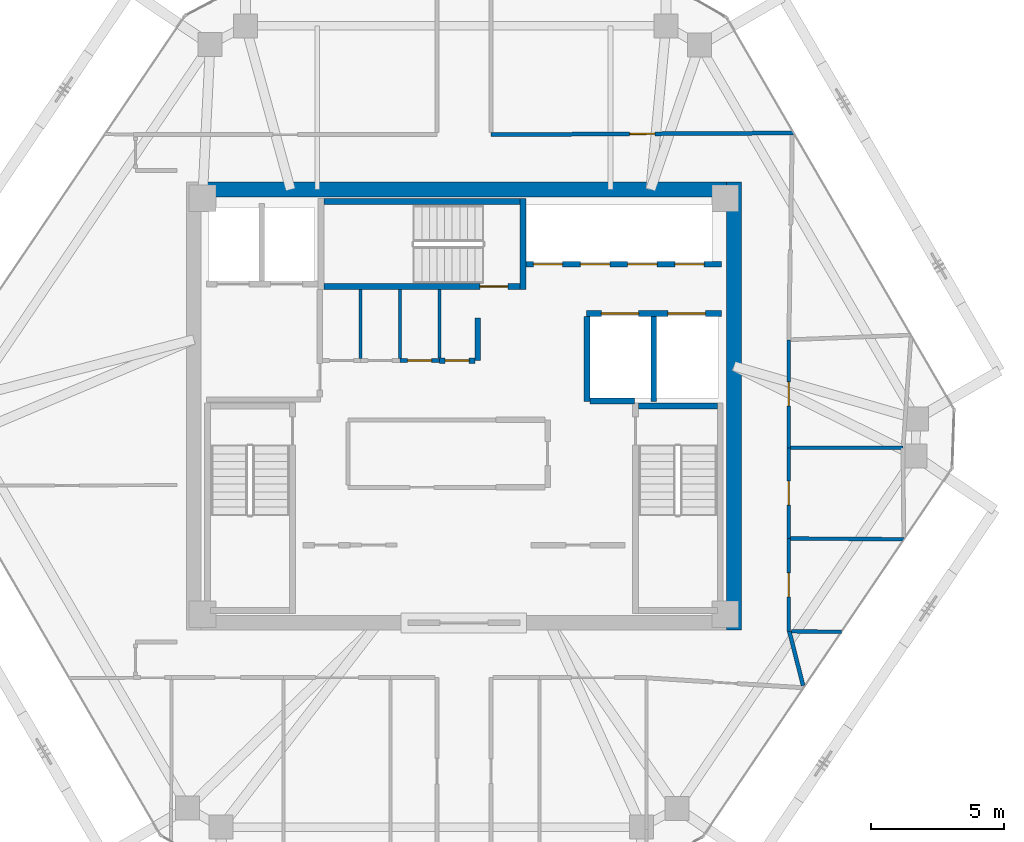
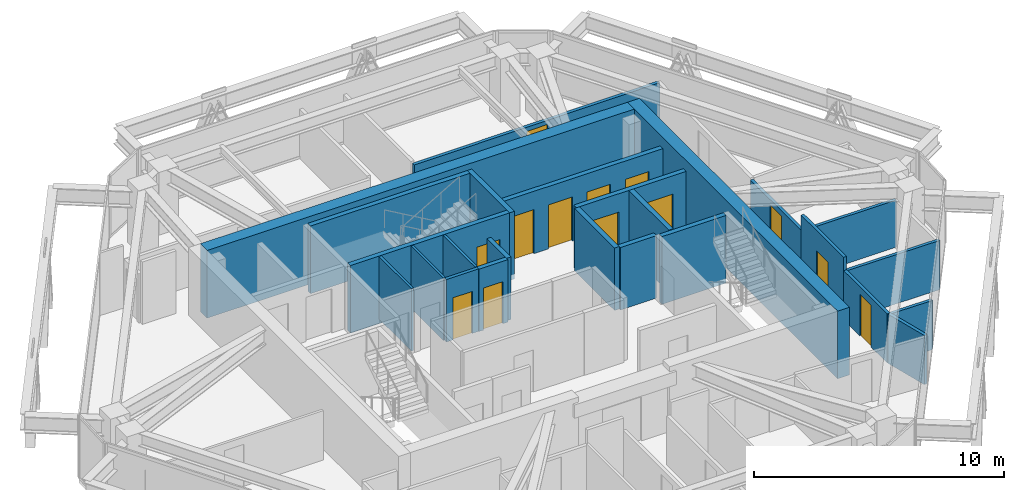
# One storey, part 11 of 13: 25 walls, 13 doors, 13 openings.
"""IFC4 building model written with IfcOpenShell, lengths in metres."""

from ifc_helpers import new_model, si_unit, direction, frame, frame_2d, origin, place, context, subcontext, project, spatial, rectangle, extrude, source, transform, mapped, material, layer, layer_set, type_object, type_shapes, element, fill, save


model = new_model("IFC4")

# Units and contexts
model_context = context("Model", 3, precision=1e-05, world=origin(), true_north=direction((0.0, 1.0)))
body_context = subcontext(model_context, "Body", "Model", "MODEL_VIEW")
ifc_project = project(units=[si_unit("LENGTHUNIT", "METRE"), si_unit("AREAUNIT", "SQUARE_METRE"), si_unit("VOLUMEUNIT", "CUBIC_METRE"), si_unit("PLANEANGLEUNIT", "RADIAN"), si_unit("MASSUNIT", "GRAM", prefix="KILO")], contexts=[model_context])

# Site, building, storey
site_placement = place(None, origin())
site = spatial("IfcSite", under=ifc_project, at=site_placement, CompositionType="ELEMENT")
building_placement = place(site_placement, origin())
building = spatial("IfcBuilding", under=site, at=building_placement, Name="Durnholm Broadcast Tower", CompositionType="ELEMENT")
storey_placement = place(building_placement, frame((0.0, 0.0, 248.0)))
storey = spatial("IfcBuildingStorey", under=building, at=storey_placement, Name="L69", CompositionType="ELEMENT", Elevation=248.0)

# Walls
ifc_material_1 = material(Name="Concrete C70/85", Category="concrete")
ifc_layer_1 = layer(ifc_material_1, 0.550048828125)
ifc_layer_set_1 = layer_set([ifc_layer_1], Name="Concrete C70/85")
wall_type_1 = type_object("IfcWallType", Name="WALL-CW-550", PredefinedType="SHEAR", material=ifc_layer_set_1)
wall_1_placement = place(storey_placement, frame((10.125, -8.39990234375, 0.0), z_axis=(0.0, 0.0, 1.0), x_axis=(0.0, 1.0, 0.0)))
element("IfcWall", 1, at=wall_1_placement, inside=storey, type_object=wall_type_1, Name="L69 central core shear wall CW-EAST", PredefinedType="SHEAR", context=body_context, shape_type="SweptSolid", body=[
    extrude(rectangle(XDim=16.7998046875, YDim=0.550048828125, at=frame_2d((8.39990234375, 0.0))), origin(), (0.0, 0.0, 1.0), 3.300048828125),
])
wall_2_placement = place(storey_placement, frame((-9.85009765625, 8.125, 0.0), z_axis=(0.0, 0.0, 1.0), x_axis=(1.0, 0.0, 0.0)))
element("IfcWall", 2, at=wall_2_placement, inside=storey, type_object=wall_type_1, Name="L69 central core shear wall CW-N", PredefinedType="SHEAR", context=body_context, shape_type="SweptSolid", body=[
    extrude(rectangle(XDim=19.7001953125, YDim=0.550048828125, at=frame_2d((9.85009765625, 0.0))), origin(), (0.0, 0.0, 1.0), 3.300048828125),
])
ifc_material_2 = material(Name="Fire-Rated Gypsum Shaftwall", Category="concrete")
ifc_layer_2 = layer(ifc_material_2, 0.199951171875)
ifc_layer_set_2 = layer_set([ifc_layer_2], Name="Fire-Rated Gypsum Shaftwall")
wall_type_2 = type_object("IfcWallType", Name="WALL-LOB-200", PredefinedType="SOLIDWALL", material=ifc_layer_set_2)
wall_3_placement = place(storey_placement, frame((0.52001953125, 3.300048828125, 0.0), z_axis=(0.0, 0.0, 1.0), x_axis=(0.0, -1.0, 0.0)))
element("IfcWall", 3, at=wall_3_placement, inside=storey, type_object=wall_type_2, Name="L69 Core Signal Sync Room corridor partition", PredefinedType="SOLIDWALL", context=body_context, shape_type="SweptSolid", body=[
    extrude(rectangle(XDim=1.590087890625, YDim=0.199951171875, at=frame_2d((0.794921875, 0.0))), origin(), (0.0, 0.0, 1.0), 3.044921875),
])

# Wall, opening, door
wall_4_placement = place(storey_placement, frame((0.416015625, 1.7099609375, 0.0), z_axis=(0.0, 0.0, 1.0), x_axis=(-1.0, 0.0, 0.0)))
wall_4 = element("IfcWall", 4, at=wall_4_placement, inside=storey, type_object=wall_type_2, Name="L69 Core Signal Sync Room corridor partition", PredefinedType="SOLIDWALL", context=body_context, shape_type="SweptSolid", body=[
    extrude(rectangle(XDim=1.3359375, YDim=0.199951171875, at=frame_2d((0.66796875, 0.0))), origin(), (0.0, 0.0, 1.0), 3.044921875),
])
opening_1_placement = place(wall_4_placement, frame((0.218017578125, 0.0, 0.0)))
opening_1 = element("IfcOpeningElement", 5, at=opening_1_placement, cuts=wall_4, Name="Opening DC-60R", PredefinedType="OPENING", context=body_context, shape_type="SweptSolid", body=[
    extrude(rectangle(XDim=0.89990234375, YDim=2.050048828125, at=frame_2d((0.449951171875, 1.02490234375))), frame((0.0, 0.10986328125, 0.0), z_axis=(0.0, -1.0, 0.0), x_axis=(1.0, 0.0, 0.0)), (0.0, 0.0, 1.0), 0.219970703125),
])
ifc_material_3 = material(Name="Fire-Rated Core Service Door", Category="steel")
ifc_layer_3 = layer(ifc_material_3, 0.050048828125)
ifc_layer_set_3 = layer_set([ifc_layer_3], Name="Fire-Rated Core Service Door")
door_type_1 = type_object("IfcDoorType", Name="DOOR-CORE-FD60-R", OperationType="NOTDEFINED", PredefinedType="DOOR", material=ifc_layer_set_3)
shared_shape_1 = source(origin(), body_context, "Body", "SweptSolid", [
    extrude(rectangle(XDim=0.89990234375, YDim=2.050048828125, at=frame_2d((0.449951171875, 1.02490234375))), frame((0.0, 0.02490234375, 0.0), z_axis=(0.0, -1.0, 0.0), x_axis=(1.0, 0.0, 0.0)), (0.0, 0.0, 1.0), 0.050048828125),
])
type_shapes(door_type_1, [shared_shape_1])
door_1_placement = place(opening_1_placement, origin())
door_1 = element("IfcDoor", 6, at=door_1_placement, inside=storey, type_object=door_type_1, Name="L69 Core Signal Sync Room entrance door", OperationType="SINGLE_SWING_RIGHT", OverallHeight=2.050048828125, OverallWidth=0.89990234375, PredefinedType="DOOR", context=body_context, shape_type="MappedRepresentation", body=[
    mapped(shared_shape_1, transform((0.0, 0.0, 0.0), x_axis=(1.0, 0.0, 0.0), y_axis=(0.0, 1.0, 0.0), z_axis=(0.0, 0.0, 1.0), scale=1.0)),
])
fill(opening_1, door_1)

# Walls
ifc_material_4 = material(Name="Operable Acoustic Panel Partition", Category="aluminium")
ifc_layer_4 = layer(ifc_material_4, 0.110107421875)
ifc_layer_set_4 = layer_set([ifc_layer_4], Name="Operable Acoustic Panel Partition")
wall_type_3 = type_object("IfcWallType", Name="WALL-MOV-110", PredefinedType="MOVABLE", material=ifc_layer_set_4)
for number, where, z_axis, x_axis, name in (
    (7, (-3.8798828125, 4.375, 0.0), (0.0, 0.0, 1.0), (0.0, -1.0, 0.0), "L69 room dividing partition 6.7"),
    (8, (-2.39990234375, 4.375, 0.0), (0.0, 0.0, 1.0), (0.0, -1.0, 0.0), "L69 room dividing partition 7.8"),
):
    element("IfcWall", number, at=place(storey_placement, frame(where, z_axis=z_axis, x_axis=x_axis)), inside=storey, type_object=wall_type_3, Name=name, PredefinedType="MOVABLE", context=body_context, shape_type="SweptSolid", body=[
        extrude(rectangle(XDim=2.5859375, YDim=0.110107421875, at=frame_2d((1.29296875, 0.0))), origin(), (0.0, 0.0, 1.0), 3.044921875),
    ])
wall_5_placement = place(storey_placement, frame((-0.919921875, 4.375, 0.0), z_axis=(0.0, 0.0, 1.0), x_axis=(0.0, -1.0, 0.0)))
element("IfcWall", 9, at=wall_5_placement, inside=storey, type_object=wall_type_3, Name="L69 room dividing partition 8.9", PredefinedType="MOVABLE", context=body_context, shape_type="SweptSolid", body=[
    extrude(rectangle(XDim=2.56103515625, YDim=0.110107421875, at=frame_2d((1.280517578125, 0.0))), origin(), (0.0, 0.0, 1.0), 3.044921875),
])

# Wall, opening, door
ifc_material_5 = material(Name="Acoustic Gypsum Stud Partition", Category="concrete")
ifc_layer_5 = layer(ifc_material_5, 0.14990234375)
ifc_layer_set_5 = layer_set([ifc_layer_5], Name="Acoustic Gypsum Stud Partition")
wall_type_4 = type_object("IfcWallType", Name="WALL-PART-150", PredefinedType="PARTITIONING", material=ifc_layer_set_5)
wall_6_placement = place(storey_placement, frame((-0.919921875, 1.7099609375, 0.0), z_axis=(0.0, 0.0, 1.0), x_axis=(-1.0, 0.0, 0.0)))
wall_6 = element("IfcWall", 10, at=wall_6_placement, inside=storey, type_object=wall_type_4, Name="L69 Core Safety Gear Store corridor partition", PredefinedType="PARTITIONING", context=body_context, shape_type="SweptSolid", body=[
    extrude(rectangle(XDim=1.47998046875, YDim=0.14990234375, at=frame_2d((0.739990234375, 0.0))), origin(), (0.0, 0.0, 1.0), 3.044921875),
])
opening_2_placement = place(wall_6_placement, frame((0.2900390625, 0.0, 0.0)))
opening_2 = element("IfcOpeningElement", 11, at=opening_2_placement, cuts=wall_6, Name="Opening DC-60L", PredefinedType="OPENING", context=body_context, shape_type="SweptSolid", body=[
    extrude(rectangle(XDim=0.89990234375, YDim=2.050048828125, at=frame_2d((0.449951171875, 1.02490234375))), frame((0.0, 0.0849609375, 0.0), z_axis=(0.0, -1.0, 0.0), x_axis=(1.0, 0.0, 0.0)), (0.0, 0.0, 1.0), 0.169921875),
])
ifc_layer_6 = layer(ifc_material_3, 0.050048828125)
ifc_layer_set_6 = layer_set([ifc_layer_6], Name="Fire-Rated Core Service Door")
door_type_2 = type_object("IfcDoorType", Name="DOOR-CORE-FD60-L", OperationType="NOTDEFINED", PredefinedType="DOOR", material=ifc_layer_set_6)
shared_shape_2 = source(origin(), body_context, "Body", "SweptSolid", [
    extrude(rectangle(XDim=0.89990234375, YDim=2.050048828125, at=frame_2d((0.449951171875, 1.02490234375))), frame((0.0, 0.02490234375, 0.0), z_axis=(0.0, -1.0, 0.0), x_axis=(1.0, 0.0, 0.0)), (0.0, 0.0, 1.0), 0.050048828125),
])
type_shapes(door_type_2, [shared_shape_2])
door_2_placement = place(opening_2_placement, origin())
door_2 = element("IfcDoor", 12, at=door_2_placement, inside=storey, type_object=door_type_2, Name="L69 Core Safety Gear Store entrance door", OperationType="SINGLE_SWING_LEFT", OverallHeight=2.050048828125, OverallWidth=0.89990234375, PredefinedType="DOOR", context=body_context, shape_type="MappedRepresentation", body=[
    mapped(shared_shape_2, transform((0.0, 0.0, 0.0), x_axis=(1.0, 0.0, 0.0), y_axis=(0.0, 1.0, 0.0), z_axis=(0.0, 0.0, 1.0), scale=1.0)),
])
fill(opening_2, door_2)

wall_7_placement = place(storey_placement, frame((12.368408203125, 10.242919921875, 0.0), z_axis=(0.0, 0.0, 1.0), x_axis=(-0.999984623931, -0.005545439622, 0.0)))
wall_7 = element("IfcWall", 13, at=wall_7_placement, inside=storey, type_object=wall_type_4, Name="L69 Open Plan Broadcast Workspace 3 corridor partition", PredefinedType="PARTITIONING", context=body_context, shape_type="SweptSolid", body=[
    extrude(rectangle(XDim=11.358642578125, YDim=0.14990234375, at=frame_2d((5.67919921875, 0.0))), origin(), (0.0, 0.0, 1.0), 2.30126953125),
])
opening_3_placement = place(wall_7_placement, frame((5.2041015625, 0.0, 0.0)))
opening_3 = element("IfcOpeningElement", 14, at=opening_3_placement, cuts=wall_7, Name="Opening DR-95L", PredefinedType="OPENING", context=body_context, shape_type="SweptSolid", body=[
    extrude(rectangle(XDim=0.949951171875, YDim=2.10009765625, at=frame_2d((0.47509765625, 1.050048828125))), frame((0.0, 0.0849609375, 0.0), z_axis=(0.0, -1.0, 0.0), x_axis=(1.0, 0.0, 0.0)), (0.0, 0.0, 1.0), 0.169921875),
])
ifc_material_6 = material(Name="Acoustic Oak Veneer Timber Door", Category="wood")
ifc_layer_7 = layer(ifc_material_6, 0.050048828125)
ifc_layer_set_7 = layer_set([ifc_layer_7], Name="Acoustic Oak Veneer Timber Door")
door_type_3 = type_object("IfcDoorType", Name="DOOR-RM-950L", OperationType="NOTDEFINED", PredefinedType="DOOR", material=ifc_layer_set_7)
shared_shape_3 = source(origin(), body_context, "Body", "SweptSolid", [
    extrude(rectangle(XDim=0.949951171875, YDim=2.10009765625, at=frame_2d((0.47509765625, 1.050048828125))), frame((0.0, 0.02490234375, 0.0), z_axis=(0.0, -1.0, 0.0), x_axis=(1.0, 0.0, 0.0)), (0.0, 0.0, 1.0), 0.050048828125),
])
type_shapes(door_type_3, [shared_shape_3])
door_3_placement = place(opening_3_placement, origin())
door_3 = element("IfcDoor", 15, at=door_3_placement, inside=storey, type_object=door_type_3, Name="L69 Open Plan Broadcast Workspace 3 entrance door", OperationType="SINGLE_SWING_LEFT", OverallHeight=2.10009765625, OverallWidth=0.949951171875, PredefinedType="DOOR", context=body_context, shape_type="MappedRepresentation", body=[
    mapped(shared_shape_3, transform((0.0, 0.0, 0.0), x_axis=(1.0, 0.0, 0.0), y_axis=(0.0, 1.0, 0.0), z_axis=(0.0, 0.0, 1.0), scale=1.0)),
])
fill(opening_3, door_3)

# Wall
wall_8_placement = place(storey_placement, frame((12.718505859375, -10.477294921875, 0.0), z_axis=(0.0, 0.0, 1.0), x_axis=(-0.246550381988, 0.96912997536, 0.0)))
element("IfcWall", 16, at=wall_8_placement, inside=storey, type_object=wall_type_4, Name="L69 Editorial Briefing Meeting Room corridor partition", PredefinedType="PARTITIONING", context=body_context, shape_type="SweptSolid", body=[
    extrude(rectangle(XDim=2.102294921875, YDim=0.14990234375, at=frame_2d((1.05126953125, 0.0))), origin(), (0.0, 0.0, 1.0), 2.398681640625),
])

# Wall, openings, doors
ifc_material_7 = material(Name="Concrete Blockwork C30/37", Category="masonry")
ifc_layer_8 = layer(ifc_material_7, 0.219970703125)
ifc_layer_set_8 = layer_set([ifc_layer_8], Name="Concrete Blockwork C30/37")
wall_type_5 = type_object("IfcWallType", Name="WALL-SHAFT-220", PredefinedType="SOLIDWALL", material=ifc_layer_set_8)
wall_9_placement = place(storey_placement, frame((4.60009765625, 3.47998046875, 0.0), z_axis=(0.0, 0.0, 1.0), x_axis=(1.0, 0.0, 0.0)))
wall_9 = element("IfcWall", 17, at=wall_9_placement, inside=storey, type_object=wall_type_5, Name="L69 freight service lifts north front wall", PredefinedType="SOLIDWALL", context=body_context, shape_type="SweptSolid", body=[
    extrude(rectangle(XDim=5.0498046875, YDim=0.219970703125, at=frame_2d((2.52490234375, 0.0))), origin(), (0.0, 0.0, 1.0), 3.044921875),
])
opening_4_placement = place(wall_9_placement, frame((0.550048828125, 0.0, 0.0)))
opening_4 = element("IfcOpeningElement", 18, at=opening_4_placement, cuts=wall_9, Name="Opening LD-SVL-2", PredefinedType="OPENING", context=body_context, shape_type="SweptSolid", body=[
    extrude(rectangle(XDim=1.39990234375, YDim=2.14990234375, at=frame_2d((0.699951171875, 1.074951171875))), frame((0.0, 0.1201171875, 0.0), z_axis=(0.0, -1.0, 0.0), x_axis=(1.0, 0.0, 0.0)), (0.0, 0.0, 1.0), 0.239990234375),
])
opening_5_placement = place(wall_9_placement, frame((3.050048828125, 0.0, 0.0)))
opening_5 = element("IfcOpeningElement", 19, at=opening_5_placement, cuts=wall_9, Name="Opening LD-SVL-1", PredefinedType="OPENING", context=body_context, shape_type="SweptSolid", body=[
    extrude(rectangle(XDim=1.39990234375, YDim=2.14990234375, at=frame_2d((0.699951171875, 1.074951171875))), frame((0.0, 0.1201171875, 0.0), z_axis=(0.0, -1.0, 0.0), x_axis=(1.0, 0.0, 0.0)), (0.0, 0.0, 1.0), 0.239990234375),
])
ifc_material_8 = material(Name="Freight Elevator Bi-Parting Sliding Landing Door", Category="steel")
ifc_layer_9 = layer(ifc_material_8, 0.050048828125)
ifc_layer_set_9 = layer_set([ifc_layer_9], Name="Freight Elevator Bi-Parting Sliding Landing Door")
door_type_4 = type_object("IfcDoorType", Name="DOOR-LIFT-SVL", OperationType="DOUBLE_DOOR_SLIDING", PredefinedType="DOOR", material=ifc_layer_set_9)
shared_shape_4 = source(origin(), body_context, "Body", "SweptSolid", [
    extrude(rectangle(XDim=1.39990234375, YDim=2.14990234375, at=frame_2d((0.699951171875, 1.074951171875))), frame((0.0, 0.02490234375, 0.0), z_axis=(0.0, -1.0, 0.0), x_axis=(1.0, 0.0, 0.0)), (0.0, 0.0, 1.0), 0.050048828125),
])
type_shapes(door_type_4, [shared_shape_4])
door_4_placement = place(opening_4_placement, origin())
door_4 = element("IfcDoor", 20, at=door_4_placement, inside=storey, type_object=door_type_4, Name="L69 freight service elevator SVL-2 sliding landing door", OperationType="DOUBLE_DOOR_SLIDING", OverallHeight=2.14990234375, OverallWidth=1.39990234375, PredefinedType="DOOR", context=body_context, shape_type="MappedRepresentation", body=[
    mapped(shared_shape_4, transform((0.0, 0.0, 0.0), x_axis=(1.0, 0.0, 0.0), y_axis=(0.0, 1.0, 0.0), z_axis=(0.0, 0.0, 1.0), scale=1.0)),
])
fill(opening_4, door_4)
door_5_placement = place(opening_5_placement, origin())
door_5 = element("IfcDoor", 21, at=door_5_placement, inside=storey, type_object=door_type_4, Name="L69 freight service elevator SVL-1 sliding landing door", OperationType="DOUBLE_DOOR_SLIDING", OverallHeight=2.14990234375, OverallWidth=1.39990234375, PredefinedType="DOOR", context=body_context, shape_type="MappedRepresentation", body=[
    mapped(shared_shape_4, transform((0.0, 0.0, 0.0), x_axis=(1.0, 0.0, 0.0), y_axis=(0.0, 1.0, 0.0), z_axis=(0.0, 0.0, 1.0), scale=1.0)),
])
fill(opening_5, door_5)

# Walls
for number, where, z_axis, x_axis, name in (
    (22, (4.6201171875, 0.179931640625, 0.0), (0.0, 0.0, 1.0), (0.0, 1.0, 0.0), "L69 freight service lift SVL-2 west wall"),
    (23, (7.1201171875, 0.179931640625, 0.0), (0.0, 0.0, 1.0), (0.0, 1.0, 0.0), "L69 freight service lifts divider wall"),
):
    element("IfcWall", number, at=place(storey_placement, frame(where, z_axis=z_axis, x_axis=x_axis)), inside=storey, type_object=wall_type_5, Name=name, PredefinedType="SOLIDWALL", context=body_context, shape_type="SweptSolid", body=[
        extrude(rectangle(XDim=3.18603515625, YDim=0.219970703125, at=frame_2d((1.593017578125, 0.0))), origin(), (0.0, 0.0, 1.0), 3.044921875),
    ])
wall_10_placement = place(storey_placement, frame((4.73388671875, 0.199951171875, 0.0), z_axis=(0.0, 0.0, 1.0), x_axis=(1.0, 0.0, 0.0)))
element("IfcWall", 24, at=wall_10_placement, inside=storey, type_object=wall_type_5, Name="L69 freight service lift SVL-2 south wall", PredefinedType="SOLIDWALL", context=body_context, shape_type="SweptSolid", body=[
    extrude(rectangle(XDim=1.666015625, YDim=0.219970703125, at=frame_2d((0.8330078125, 0.0))), origin(), (0.0, 0.0, 1.0), 3.044921875),
])

# Wall, openings, doors
wall_11_placement = place(storey_placement, frame((2.324951171875, 5.320068359375, 0.0), z_axis=(0.0, 0.0, 1.0), x_axis=(1.0, 0.0, 0.0)))
wall_11 = element("IfcWall", 25, at=wall_11_placement, inside=storey, type_object=wall_type_5, Name="L69 high-rise bank P3 south front wall", PredefinedType="SOLIDWALL", context=body_context, shape_type="SweptSolid", body=[
    extrude(rectangle(XDim=7.324951171875, YDim=0.219970703125, at=frame_2d((3.66259765625, 0.0))), origin(), (0.0, 0.0, 1.0), 3.044921875),
])
opening_6_placement = place(wall_11_placement, frame((0.27490234375, 0.0, 0.0)))
opening_6 = element("IfcOpeningElement", 26, at=opening_6_placement, cuts=wall_11, Name="Opening LD-LP3-1", PredefinedType="OPENING", context=body_context, shape_type="SweptSolid", body=[
    extrude(rectangle(XDim=1.10009765625, YDim=2.14990234375, at=frame_2d((0.550048828125, 1.074951171875))), frame((0.0, 0.1201171875, 0.0), z_axis=(0.0, -1.0, 0.0), x_axis=(1.0, 0.0, 0.0)), (0.0, 0.0, 1.0), 0.239990234375),
])
opening_7_placement = place(wall_11_placement, frame((2.044921875, 0.0, 0.0)))
opening_7 = element("IfcOpeningElement", 27, at=opening_7_placement, cuts=wall_11, Name="Opening LD-LP3-2", PredefinedType="OPENING", context=body_context, shape_type="SweptSolid", body=[
    extrude(rectangle(XDim=1.10009765625, YDim=2.14990234375, at=frame_2d((0.550048828125, 1.074951171875))), frame((0.0, 0.1201171875, 0.0), z_axis=(0.0, -1.0, 0.0), x_axis=(1.0, 0.0, 0.0)), (0.0, 0.0, 1.0), 0.239990234375),
])
opening_8_placement = place(wall_11_placement, frame((3.81494140625, 0.0, 0.0)))
opening_8 = element("IfcOpeningElement", 28, at=opening_8_placement, cuts=wall_11, Name="Opening LD-LP3-3", PredefinedType="OPENING", context=body_context, shape_type="SweptSolid", body=[
    extrude(rectangle(XDim=1.10009765625, YDim=2.14990234375, at=frame_2d((0.550048828125, 1.074951171875))), frame((0.0, 0.1201171875, 0.0), z_axis=(0.0, -1.0, 0.0), x_axis=(1.0, 0.0, 0.0)), (0.0, 0.0, 1.0), 0.239990234375),
])
opening_9_placement = place(wall_11_placement, frame((5.5849609375, 0.0, 0.0)))
opening_9 = element("IfcOpeningElement", 29, at=opening_9_placement, cuts=wall_11, Name="Opening LD-LP3-4", PredefinedType="OPENING", context=body_context, shape_type="SweptSolid", body=[
    extrude(rectangle(XDim=1.10009765625, YDim=2.14990234375, at=frame_2d((0.550048828125, 1.074951171875))), frame((0.0, 0.1201171875, 0.0), z_axis=(0.0, -1.0, 0.0), x_axis=(1.0, 0.0, 0.0)), (0.0, 0.0, 1.0), 0.239990234375),
])
ifc_material_9 = material(Name="Stainless Steel Sliding Elevator Landing Door", Category="steel")
ifc_layer_10 = layer(ifc_material_9, 0.050048828125)
ifc_layer_set_10 = layer_set([ifc_layer_10], Name="Stainless Steel Sliding Elevator Landing Door")
door_type_5 = type_object("IfcDoorType", Name="DOOR-LIFT-PAX", OperationType="DOUBLE_DOOR_SLIDING", PredefinedType="DOOR", material=ifc_layer_set_10)
shared_shape_5 = source(origin(), body_context, "Body", "SweptSolid", [
    extrude(rectangle(XDim=1.10009765625, YDim=2.14990234375, at=frame_2d((0.550048828125, 1.074951171875))), frame((0.0, 0.02490234375, 0.0), z_axis=(0.0, -1.0, 0.0), x_axis=(1.0, 0.0, 0.0)), (0.0, 0.0, 1.0), 0.050048828125),
])
type_shapes(door_type_5, [shared_shape_5])
door_6_placement = place(opening_6_placement, origin())
door_6 = element("IfcDoor", 30, at=door_6_placement, inside=storey, type_object=door_type_5, Name="L69 high-rise elevator LP3-1 sliding landing door", OperationType="DOUBLE_DOOR_SLIDING", OverallHeight=2.14990234375, OverallWidth=1.10009765625, PredefinedType="DOOR", context=body_context, shape_type="MappedRepresentation", body=[
    mapped(shared_shape_5, transform((0.0, 0.0, 0.0), x_axis=(1.0, 0.0, 0.0), y_axis=(0.0, 1.0, 0.0), z_axis=(0.0, 0.0, 1.0), scale=1.0)),
])
fill(opening_6, door_6)
door_7_placement = place(opening_7_placement, origin())
door_7 = element("IfcDoor", 31, at=door_7_placement, inside=storey, type_object=door_type_5, Name="L69 high-rise elevator LP3-2 sliding landing door", OperationType="DOUBLE_DOOR_SLIDING", OverallHeight=2.14990234375, OverallWidth=1.10009765625, PredefinedType="DOOR", context=body_context, shape_type="MappedRepresentation", body=[
    mapped(shared_shape_5, transform((0.0, 0.0, 0.0), x_axis=(1.0, 0.0, 0.0), y_axis=(0.0, 1.0, 0.0), z_axis=(0.0, 0.0, 1.0), scale=1.0)),
])
fill(opening_7, door_7)
door_8_placement = place(opening_8_placement, origin())
door_8 = element("IfcDoor", 32, at=door_8_placement, inside=storey, type_object=door_type_5, Name="L69 high-rise elevator LP3-3 sliding landing door", OperationType="DOUBLE_DOOR_SLIDING", OverallHeight=2.14990234375, OverallWidth=1.10009765625, PredefinedType="DOOR", context=body_context, shape_type="MappedRepresentation", body=[
    mapped(shared_shape_5, transform((0.0, 0.0, 0.0), x_axis=(1.0, 0.0, 0.0), y_axis=(0.0, 1.0, 0.0), z_axis=(0.0, 0.0, 1.0), scale=1.0)),
])
fill(opening_8, door_8)
door_9_placement = place(opening_9_placement, origin())
door_9 = element("IfcDoor", 33, at=door_9_placement, inside=storey, type_object=door_type_5, Name="L69 high-rise elevator LP3-4 sliding landing door", OperationType="DOUBLE_DOOR_SLIDING", OverallHeight=2.14990234375, OverallWidth=1.10009765625, PredefinedType="DOOR", context=body_context, shape_type="MappedRepresentation", body=[
    mapped(shared_shape_5, transform((0.0, 0.0, 0.0), x_axis=(1.0, 0.0, 0.0), y_axis=(0.0, 1.0, 0.0), z_axis=(0.0, 0.0, 1.0), scale=1.0)),
])
fill(opening_9, door_9)

# Walls
ifc_material_10 = material(Name="Concrete C50/60", Category="concrete")
ifc_layer_11 = layer(ifc_material_10, 0.219970703125)
ifc_layer_set_11 = layer_set([ifc_layer_11], Name="Concrete C50/60")
wall_type_6 = type_object("IfcWallType", Name="WALL-SW-220", PredefinedType="SHEAR", material=ifc_layer_set_11)
wall_12_placement = place(storey_placement, frame((9.5, 0.010009765625, -0.239990234375), z_axis=(0.0, 0.0, 1.0), x_axis=(-1.0, 0.0, 0.0)))
element("IfcWall", 34, at=wall_12_placement, inside=storey, type_object=wall_type_6, Name="L69 stair ST-2 structural shaft wall N", PredefinedType="SHEAR", context=body_context, shape_type="SweptSolid", body=[
    extrude(rectangle(XDim=2.9599609375, YDim=0.219970703125, at=frame_2d((1.47998046875, 0.0))), origin(), (0.0, 0.0, 1.0), 3.300048828125),
])
wall_13_placement = place(storey_placement, frame((2.2099609375, 4.3798828125, -0.239990234375), z_axis=(0.0, 0.0, 1.0), x_axis=(0.0, 1.0, 0.0)))
element("IfcWall", 35, at=wall_13_placement, inside=storey, type_object=wall_type_6, Name="L69 stair ST-3 structural shaft wall E", PredefinedType="SHEAR", context=body_context, shape_type="SweptSolid", body=[
    extrude(rectangle(XDim=3.400146484375, YDim=0.219970703125, at=frame_2d((1.7001953125, 0.0))), origin(), (0.0, 0.0, 1.0), 3.300048828125),
])

# Wall, opening, door
wall_14_placement = place(storey_placement, frame((-5.25, 4.489990234375, -0.239990234375), z_axis=(0.0, 0.0, 1.0), x_axis=(1.0, 0.0, 0.0)))
wall_14 = element("IfcWall", 36, at=wall_14_placement, inside=storey, type_object=wall_type_6, Name="L69 stair ST-3 structural shaft wall S", PredefinedType="SHEAR", context=body_context, shape_type="SweptSolid", body=[
    extrude(rectangle(XDim=7.35009765625, YDim=0.219970703125, at=frame_2d((3.675048828125, 0.0))), origin(), (0.0, 0.0, 1.0), 3.300048828125),
])
opening_10_placement = place(wall_14_placement, frame((5.85009765625, 0.0, 0.0)))
opening_10 = element("IfcOpeningElement", 37, at=opening_10_placement, cuts=wall_14, Name="Opening DS-90L", PredefinedType="OPENING", context=body_context, shape_type="SweptSolid", body=[
    extrude(rectangle(XDim=1.050048828125, YDim=2.14990234375, at=frame_2d((0.52490234375, 1.074951171875))), frame((0.0, 0.1201171875, 0.0), z_axis=(0.0, -1.0, 0.0), x_axis=(1.0, 0.0, 0.0)), (0.0, 0.0, 1.0), 0.239990234375),
])
ifc_material_11 = material(Name="Fire-Rated Steel Door", Category="steel")
ifc_layer_12 = layer(ifc_material_11, 0.050048828125)
ifc_layer_set_12 = layer_set([ifc_layer_12], Name="Fire-Rated Steel Door")
door_type_6 = type_object("IfcDoorType", Name="DOOR-ST-FD90-L", OperationType="NOTDEFINED", PredefinedType="DOOR", material=ifc_layer_set_12)
shared_shape_6 = source(origin(), body_context, "Body", "SweptSolid", [
    extrude(rectangle(XDim=1.050048828125, YDim=2.14990234375, at=frame_2d((0.52490234375, 1.074951171875))), frame((0.0, 0.02490234375, 0.0), z_axis=(0.0, -1.0, 0.0), x_axis=(1.0, 0.0, 0.0)), (0.0, 0.0, 1.0), 0.050048828125),
])
type_shapes(door_type_6, [shared_shape_6])
door_10_placement = place(opening_10_placement, origin())
door_10 = element("IfcDoor", 38, at=door_10_placement, inside=storey, type_object=door_type_6, Name="L69 exit stair ST-3 fire door", OperationType="SINGLE_SWING_LEFT", OverallHeight=2.14990234375, OverallWidth=1.050048828125, PredefinedType="DOOR", context=body_context, shape_type="MappedRepresentation", body=[
    mapped(shared_shape_6, transform((0.0, 0.0, 0.0), x_axis=(1.0, 0.0, 0.0), y_axis=(0.0, 1.0, 0.0), z_axis=(0.0, 0.0, 1.0), scale=1.0)),
])
fill(opening_10, door_10)

# Wall
wall_15_placement = place(storey_placement, frame((2.10009765625, 7.669921875, -0.239990234375), z_axis=(0.0, 0.0, 1.0), x_axis=(-1.0, 0.0, 0.0)))
element("IfcWall", 39, at=wall_15_placement, inside=storey, type_object=wall_type_6, Name="L69 stair ST-3 structural shaft wall N", PredefinedType="SHEAR", context=body_context, shape_type="SweptSolid", body=[
    extrude(rectangle(XDim=7.35009765625, YDim=0.219970703125, at=frame_2d((3.675048828125, 0.0))), origin(), (0.0, 0.0, 1.0), 3.300048828125),
])

# Wall, opening, door
ifc_material_12 = material(Name="Moisture-Resistant Tile Partition", Category="concrete")
ifc_layer_13 = layer(ifc_material_12, 0.139892578125)
ifc_layer_set_13 = layer_set([ifc_layer_13], Name="Moisture-Resistant Tile Partition")
wall_type_7 = type_object("IfcWallType", Name="WALL-WC-140", PredefinedType="PARTITIONING", material=ifc_layer_set_13)
wall_16_placement = place(storey_placement, frame((12.179931640625, -8.43994140625, 0.0), z_axis=(0.0, 0.0, 1.0), x_axis=(0.0, 1.0, 0.0)))
wall_16 = element("IfcWall", 40, at=wall_16_placement, inside=storey, type_object=wall_type_7, Name="L69 Men's Restroom corridor partition", PredefinedType="PARTITIONING", context=body_context, shape_type="SweptSolid", body=[
    extrude(rectangle(XDim=3.47998046875, YDim=0.139892578125, at=frame_2d((1.739990234375, 0.0))), origin(), (0.0, 0.0, 1.0), 2.398681640625),
])
opening_11_placement = place(wall_16_placement, frame((1.2900390625, 0.0, 0.0)))
opening_11 = element("IfcOpeningElement", 41, at=opening_11_placement, cuts=wall_16, Name="Opening DW-90L", PredefinedType="OPENING", context=body_context, shape_type="SweptSolid", body=[
    extrude(rectangle(XDim=0.89990234375, YDim=2.050048828125, at=frame_2d((0.449951171875, 1.02490234375))), frame((0.0, 0.080078125, 0.0), z_axis=(0.0, -1.0, 0.0), x_axis=(1.0, 0.0, 0.0)), (0.0, 0.0, 1.0), 0.159912109375),
])
ifc_material_13 = material(Name="Laminate Restroom Door", Category="steel")
ifc_layer_14 = layer(ifc_material_13, 0.050048828125)
ifc_layer_set_14 = layer_set([ifc_layer_14], Name="Laminate Restroom Door")
door_type_7 = type_object("IfcDoorType", Name="DOOR-WC-900L", OperationType="NOTDEFINED", PredefinedType="DOOR", material=ifc_layer_set_14)
shared_shape_7 = source(origin(), body_context, "Body", "SweptSolid", [
    extrude(rectangle(XDim=0.89990234375, YDim=2.050048828125, at=frame_2d((0.449951171875, 1.02490234375))), frame((0.0, 0.02490234375, 0.0), z_axis=(0.0, -1.0, 0.0), x_axis=(1.0, 0.0, 0.0)), (0.0, 0.0, 1.0), 0.050048828125),
])
type_shapes(door_type_7, [shared_shape_7])
door_11_placement = place(opening_11_placement, origin())
door_11 = element("IfcDoor", 42, at=door_11_placement, inside=storey, type_object=door_type_7, Name="L69 Men's Restroom entrance door", OperationType="SINGLE_SWING_LEFT", OverallHeight=2.050048828125, OverallWidth=0.89990234375, PredefinedType="DOOR", context=body_context, shape_type="MappedRepresentation", body=[
    mapped(shared_shape_7, transform((0.0, 0.0, 0.0), x_axis=(1.0, 0.0, 0.0), y_axis=(0.0, 1.0, 0.0), z_axis=(0.0, 0.0, 1.0), scale=1.0)),
])
fill(opening_11, door_11)

wall_17_placement = place(storey_placement, frame((12.179931640625, -4.9599609375, 0.0), z_axis=(0.0, 0.0, 1.0), x_axis=(0.0, 1.0, 0.0)))
wall_17 = element("IfcWall", 43, at=wall_17_placement, inside=storey, type_object=wall_type_7, Name="L69 Women's Restroom corridor partition", PredefinedType="PARTITIONING", context=body_context, shape_type="SweptSolid", body=[
    extrude(rectangle(XDim=3.39990234375, YDim=0.139892578125, at=frame_2d((1.699951171875, 0.0))), origin(), (0.0, 0.0, 1.0), 3.044921875),
])
opening_12_placement = place(wall_17_placement, frame((1.25, 0.0, 0.0)))
opening_12 = element("IfcOpeningElement", 44, at=opening_12_placement, cuts=wall_17, Name="Opening DW-90R", PredefinedType="OPENING", context=body_context, shape_type="SweptSolid", body=[
    extrude(rectangle(XDim=0.89990234375, YDim=2.050048828125, at=frame_2d((0.449951171875, 1.02490234375))), frame((0.0, 0.080078125, 0.0), z_axis=(0.0, -1.0, 0.0), x_axis=(1.0, 0.0, 0.0)), (0.0, 0.0, 1.0), 0.159912109375),
])
ifc_layer_15 = layer(ifc_material_13, 0.050048828125)
ifc_layer_set_15 = layer_set([ifc_layer_15], Name="Laminate Restroom Door")
door_type_8 = type_object("IfcDoorType", Name="DOOR-WC-900R", OperationType="NOTDEFINED", PredefinedType="DOOR", material=ifc_layer_set_15)
shared_shape_8 = source(origin(), body_context, "Body", "SweptSolid", [
    extrude(rectangle(XDim=0.89990234375, YDim=2.050048828125, at=frame_2d((0.449951171875, 1.02490234375))), frame((0.0, 0.02490234375, 0.0), z_axis=(0.0, -1.0, 0.0), x_axis=(1.0, 0.0, 0.0)), (0.0, 0.0, 1.0), 0.050048828125),
])
type_shapes(door_type_8, [shared_shape_8])
door_12_placement = place(opening_12_placement, origin())
door_12 = element("IfcDoor", 45, at=door_12_placement, inside=storey, type_object=door_type_8, Name="L69 Women's Restroom entrance door", OperationType="SINGLE_SWING_RIGHT", OverallHeight=2.050048828125, OverallWidth=0.89990234375, PredefinedType="DOOR", context=body_context, shape_type="MappedRepresentation", body=[
    mapped(shared_shape_8, transform((0.0, 0.0, 0.0), x_axis=(1.0, 0.0, 0.0), y_axis=(0.0, 1.0, 0.0), z_axis=(0.0, 0.0, 1.0), scale=1.0)),
])
fill(opening_12, door_12)

wall_18_placement = place(storey_placement, frame((12.179931640625, -1.56005859375, 0.0), z_axis=(0.0, 0.0, 1.0), x_axis=(0.0, 1.0, 0.0)))
wall_18 = element("IfcWall", 46, at=wall_18_placement, inside=storey, type_object=wall_type_7, Name="L69 Accessible Restroom corridor partition", PredefinedType="PARTITIONING", context=body_context, shape_type="SweptSolid", body=[
    extrude(rectangle(XDim=4.050048828125, YDim=0.139892578125, at=frame_2d((2.02490234375, 0.0))), origin(), (0.0, 0.0, 1.0), 2.30126953125),
])
opening_13_placement = place(wall_18_placement, frame((1.574951171875, 0.0, 0.0)))
opening_13 = element("IfcOpeningElement", 47, at=opening_13_placement, cuts=wall_18, Name="Opening DW-90L", PredefinedType="OPENING", context=body_context, shape_type="SweptSolid", body=[
    extrude(rectangle(XDim=0.89990234375, YDim=2.050048828125, at=frame_2d((0.449951171875, 1.02490234375))), frame((0.0, 0.080078125, 0.0), z_axis=(0.0, -1.0, 0.0), x_axis=(1.0, 0.0, 0.0)), (0.0, 0.0, 1.0), 0.159912109375),
])
door_13_placement = place(opening_13_placement, origin())
door_13 = element("IfcDoor", 48, at=door_13_placement, inside=storey, type_object=door_type_7, Name="L69 Accessible Restroom entrance door", OperationType="SINGLE_SWING_LEFT", OverallHeight=2.050048828125, OverallWidth=0.89990234375, PredefinedType="DOOR", context=body_context, shape_type="MappedRepresentation", body=[
    mapped(shared_shape_7, transform((0.0, 0.0, 0.0), x_axis=(1.0, 0.0, 0.0), y_axis=(0.0, 1.0, 0.0), z_axis=(0.0, 0.0, 1.0), scale=1.0)),
])
fill(opening_13, door_13)

# Walls
wall_19_placement = place(storey_placement, frame((12.25390625, -4.96044921875, 0.0), z_axis=(0.0, 0.0, 1.0), x_axis=(0.999976630429, -0.006836563198, 0.0)))
element("IfcWall", 49, at=wall_19_placement, inside=storey, type_object=wall_type_7, Name="L69 room dividing partition 10.11", PredefinedType="PARTITIONING", context=body_context, shape_type="SweptSolid", body=[
    extrude(rectangle(XDim=4.24951171875, YDim=0.139892578125, at=frame_2d((2.124755859375, 0.0))), origin(), (0.0, 0.0, 1.0), 2.398681640625),
])
wall_20_placement = place(storey_placement, frame((14.155517578125, -8.46240234375, 0.0), z_axis=(0.0, 0.0, 1.0), x_axis=(-0.999935742613, 0.011336253532, 0.0)))
element("IfcWall", 50, at=wall_20_placement, inside=storey, type_object=wall_type_7, Name="L69 room dividing partition 10.21", PredefinedType="PARTITIONING", context=body_context, shape_type="SweptSolid", body=[
    extrude(rectangle(XDim=1.87353515625, YDim=0.139892578125, at=frame_2d((0.936767578125, 0.0))), origin(), (0.0, 0.0, 1.0), 2.398681640625),
])
wall_21_placement = place(storey_placement, frame((12.25390625, -1.56005859375, 0.0), z_axis=(0.0, 0.0, 1.0), x_axis=(1.0, 0.0, 0.0)))
element("IfcWall", 51, at=wall_21_placement, inside=storey, type_object=wall_type_7, Name="L69 room dividing partition 11.12", PredefinedType="PARTITIONING", context=body_context, shape_type="SweptSolid", body=[
    extrude(rectangle(XDim=4.2060546875, YDim=0.139892578125, at=frame_2d((2.10302734375, 0.0))), origin(), (0.0, 0.0, 1.0), 2.30126953125),
])

save(model, "model.ifc")
